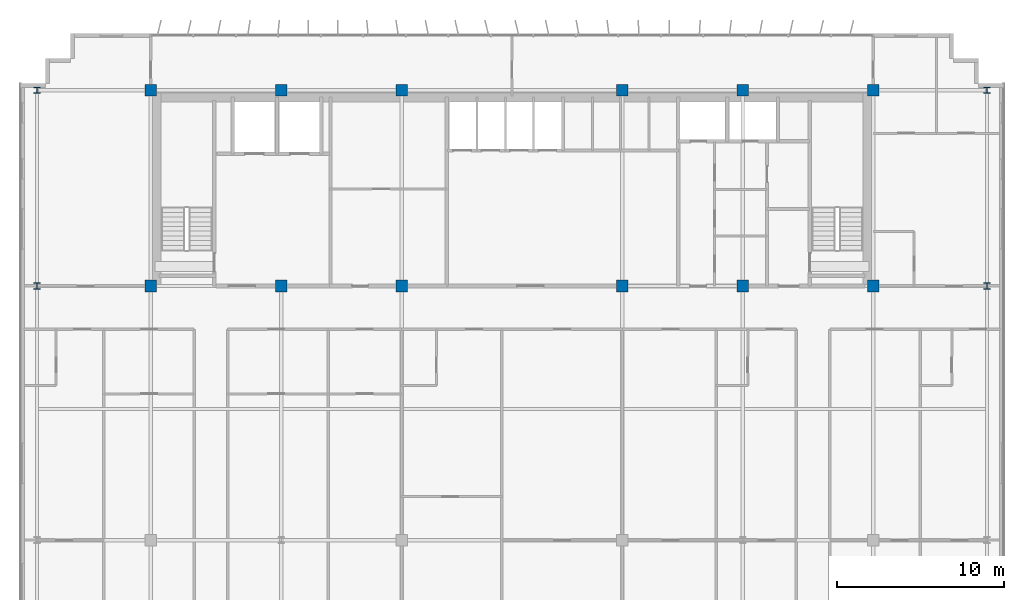
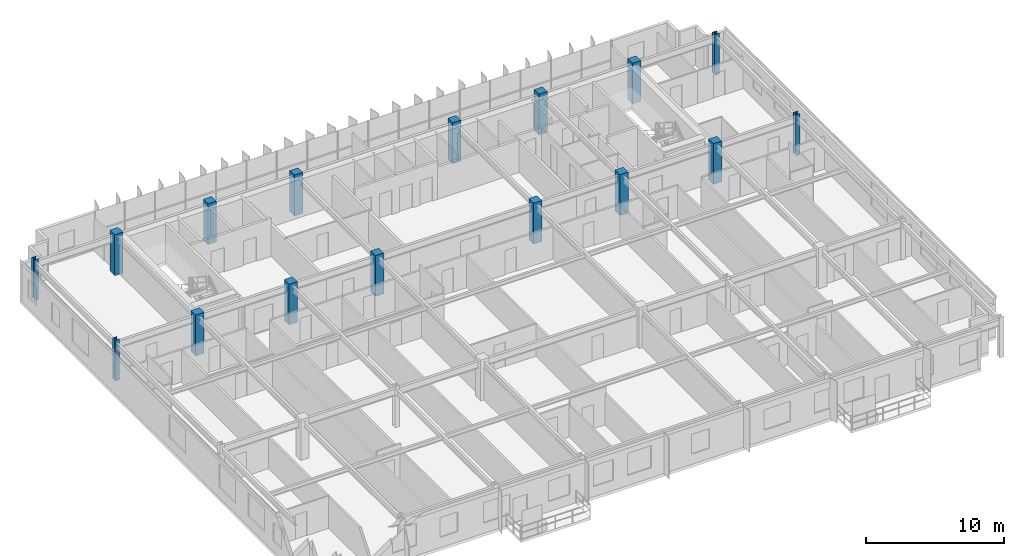
# One storey, part 2 of 21: 16 columns.
"""IFC4 building model written with IfcOpenShell, lengths in metres."""

from ifc_helpers import new_model, si_unit, direction, frame, origin, origin_2d, place, context, subcontext, project, spatial, rectangle, i_section, extrude, source, transform, mapped, material, material_profile, profile_set, type_object, element, save


model = new_model("IFC4")

# Units and contexts
model_context = context("Model", 3, precision=1e-05, world=origin(), true_north=direction((0.0, 1.0)))
body_context = subcontext(model_context, "Body", "Model", "MODEL_VIEW")
ifc_project = project(units=[si_unit("LENGTHUNIT", "METRE"), si_unit("AREAUNIT", "SQUARE_METRE"), si_unit("VOLUMEUNIT", "CUBIC_METRE"), si_unit("PLANEANGLEUNIT", "RADIAN"), si_unit("MASSUNIT", "GRAM", prefix="KILO")], contexts=[model_context])

# Site, building, storey
site_placement = place(None, origin())
site = spatial("IfcSite", under=ifc_project, at=site_placement, CompositionType="ELEMENT")
building_placement = place(site_placement, origin())
building = spatial("IfcBuilding", under=site, at=building_placement, Name="Trelvane Seafront Commons", CompositionType="ELEMENT")
storey_placement = place(building_placement, frame((0.0, 0.0, 157.300048828125)))
storey = spatial("IfcBuildingStorey", under=building, at=storey_placement, Name="L41", CompositionType="ELEMENT", Elevation=157.300048828125)

# Columns
ifc_material_1 = material(Name="Steel SM355 (S355)", Category="steel")
ifc_material_profile_1 = material_profile(ifc_material_1, i_section(OverallWidth=0.3798828125, OverallDepth=0.3798828125, WebThickness=0.02001953125, FlangeThickness=0.030029296875, at=origin_2d()), Name="HD-380x380x20x30")
ifc_profile_set_1 = profile_set([ifc_material_profile_1], Name="Steel SM355 (S355)")
column_type_1 = type_object("IfcColumnType", Name="STR-COL-HD380", PredefinedType="COLUMN", material=ifc_profile_set_1)
shared_shape_1 = source(origin(), body_context, "Body", "SweptSolid", [
    extrude(i_section(OverallWidth=0.3798828125, OverallDepth=0.3798828125, WebThickness=0.02001953125, FlangeThickness=0.030029296875, at=origin_2d()), origin(), (0.0, 0.0, 1.0), 3.599853515625),
])
for number, where, z_axis, x_axis, name in (
    (1, (8.800048828125, 33.39990234375, 0.0), (0.0, 0.0, 1.0), (1.0, 0.0, 0.0), "L41 Column TC-CS8.8"),
    (2, (8.800048828125, 45.10009765625, 0.0), (0.0, 0.0, 1.0), (1.0, 0.0, 0.0), "L41 Column TC-CN8.8"),
    (3, (65.60009765625, 33.39990234375, 0.0), (0.0, 0.0, 1.0), (1.0, 0.0, 0.0), "L41 Column TC-CS65.6"),
    (4, (65.60009765625, 45.10009765625, 0.0), (0.0, 0.0, 1.0), (1.0, 0.0, 0.0), "L41 Column TC-CN65.6"),
):
    element("IfcColumn", number, at=place(storey_placement, frame(where, z_axis=z_axis, x_axis=x_axis)), inside=storey, type_object=column_type_1, Name=name, PredefinedType="COLUMN", context=body_context, shape_type="MappedRepresentation", body=[
        mapped(shared_shape_1, transform((0.0, 0.0, 0.0), x_axis=(1.0, 0.0, 0.0), y_axis=(0.0, 1.0, 0.0), z_axis=(0.0, 0.0, 1.0), scale=1.0)),
    ])
ifc_material_2 = material(Name="Concrete C50/60", Category="concrete")
ifc_material_profile_2 = material_profile(ifc_material_2, rectangle(XDim=0.699951171875, YDim=0.699951171875, at=origin_2d()), Name="RC-700x700")
ifc_profile_set_2 = profile_set([ifc_material_profile_2], Name="Concrete C50/60")
column_type_2 = type_object("IfcColumnType", Name="STR-COL-RC700", PredefinedType="COLUMN", material=ifc_profile_set_2)
shared_shape_2 = source(origin(), body_context, "Body", "SweptSolid", [
    extrude(rectangle(XDim=0.699951171875, YDim=0.699951171875, at=origin_2d()), origin(), (0.0, 0.0, 1.0), 3.599853515625),
])
for number, where, z_axis, x_axis, name in (
    (5, (15.60009765625, 33.39990234375, 0.0), (0.0, 0.0, 1.0), (1.0, 0.0, 0.0), "L41 Column TC-CS15.6"),
    (6, (15.60009765625, 45.10009765625, 0.0), (0.0, 0.0, 1.0), (1.0, 0.0, 0.0), "L41 Column TC-CN15.6"),
    (7, (23.39990234375, 33.39990234375, 0.0), (0.0, 0.0, 1.0), (1.0, 0.0, 0.0), "L41 Column TC-CS23.4"),
    (8, (23.39990234375, 45.10009765625, 0.0), (0.0, 0.0, 1.0), (1.0, 0.0, 0.0), "L41 Column TC-CN23.4"),
    (9, (30.60009765625, 33.39990234375, 0.0), (0.0, 0.0, 1.0), (1.0, 0.0, 0.0), "L41 Column TC-CS30.6"),
    (10, (30.60009765625, 45.10009765625, 0.0), (0.0, 0.0, 1.0), (1.0, 0.0, 0.0), "L41 Column TC-CN30.6"),
    (11, (43.800048828125, 33.39990234375, 0.0), (0.0, 0.0, 1.0), (1.0, 0.0, 0.0), "L41 Column TC-CS43.8"),
    (12, (43.800048828125, 45.10009765625, 0.0), (0.0, 0.0, 1.0), (1.0, 0.0, 0.0), "L41 Column TC-CN43.8"),
    (13, (51.0, 33.39990234375, 0.0), (0.0, 0.0, 1.0), (1.0, 0.0, 0.0), "L41 Column TC-CS51.0"),
    (14, (51.0, 45.10009765625, 0.0), (0.0, 0.0, 1.0), (1.0, 0.0, 0.0), "L41 Column TC-CN51.0"),
    (15, (58.800048828125, 33.39990234375, 0.0), (0.0, 0.0, 1.0), (1.0, 0.0, 0.0), "L41 Column TC-CS58.8"),
    (16, (58.800048828125, 45.10009765625, 0.0), (0.0, 0.0, 1.0), (1.0, 0.0, 0.0), "L41 Column TC-CN58.8"),
):
    element("IfcColumn", number, at=place(storey_placement, frame(where, z_axis=z_axis, x_axis=x_axis)), inside=storey, type_object=column_type_2, Name=name, PredefinedType="COLUMN", context=body_context, shape_type="MappedRepresentation", body=[
        mapped(shared_shape_2, transform((0.0, 0.0, 0.0), x_axis=(1.0, 0.0, 0.0), y_axis=(0.0, 1.0, 0.0), z_axis=(0.0, 0.0, 1.0), scale=1.0)),
    ])

save(model, "model.ifc")
